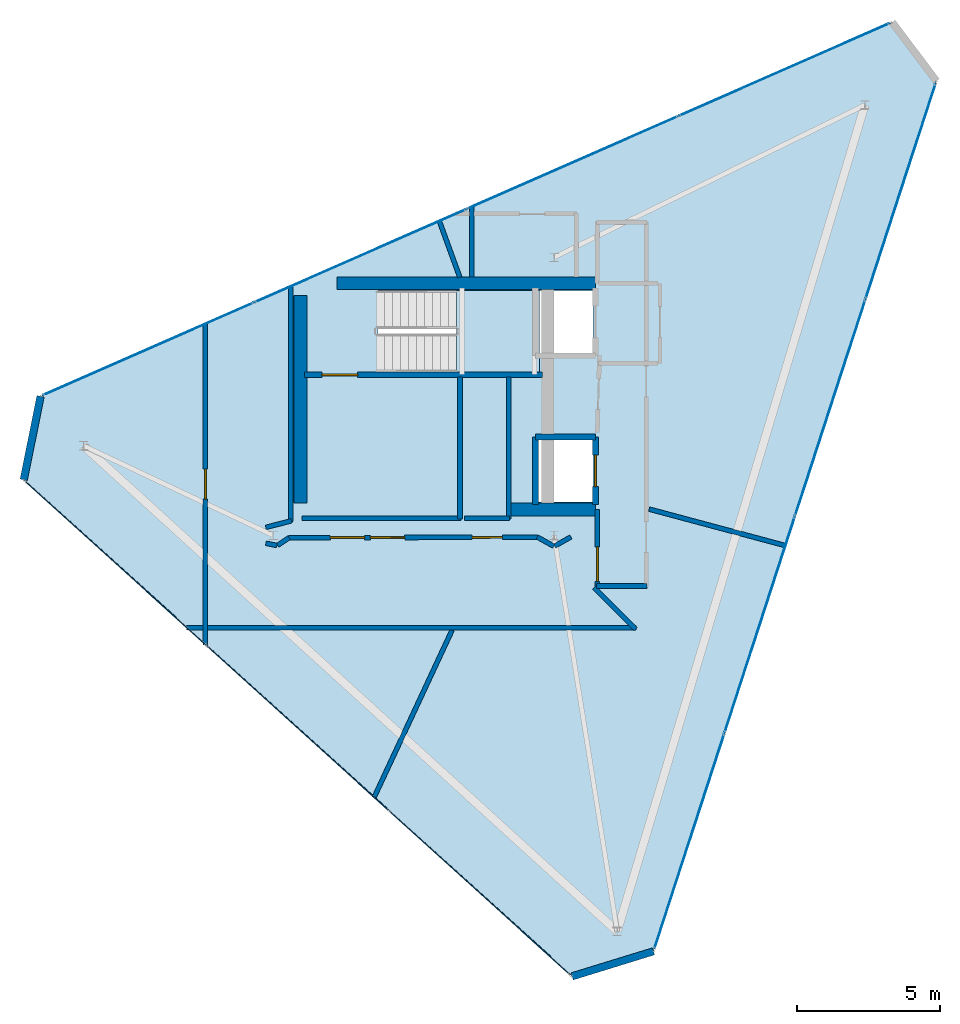
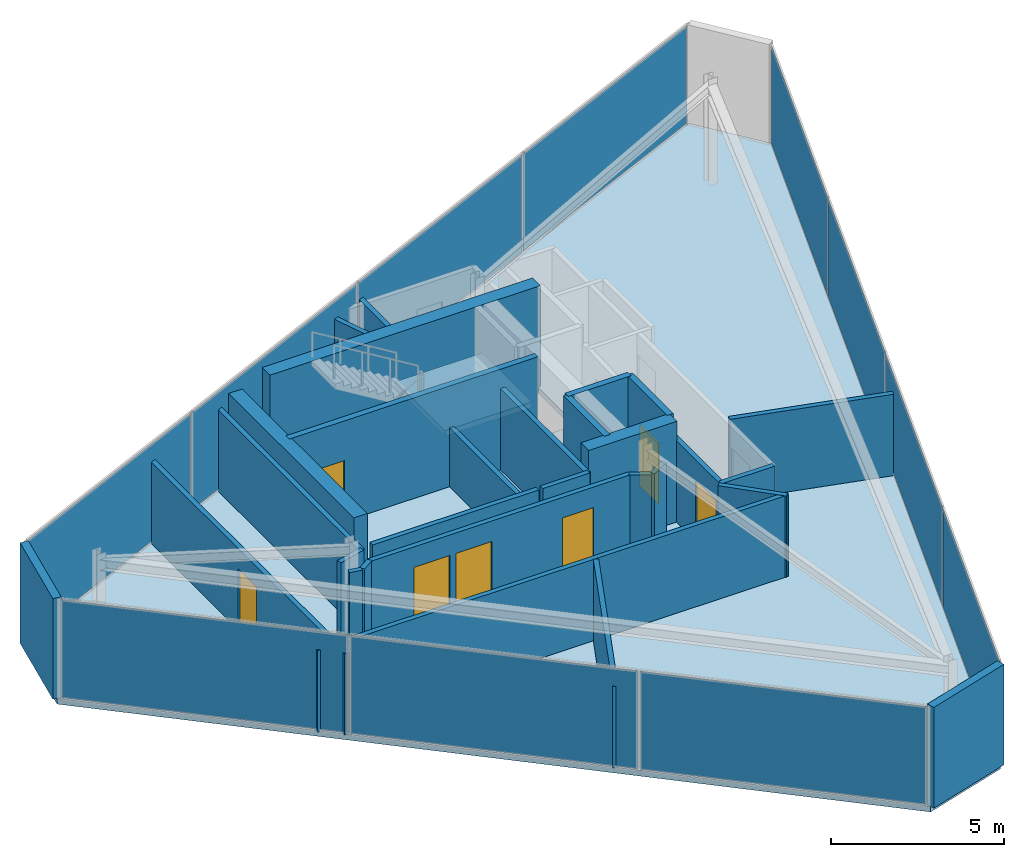
# One storey, part 12 of 14: 29 walls, 11 plates, 7 doors, 2 slabs, 7 openings, 4 elements without a shape of their own.
"""IFC4 building model written with IfcOpenShell, lengths in metres."""

from ifc_helpers import new_model, si_unit, direction, frame, frame_2d, origin, origin_2d, place, context, subcontext, project, spatial, polyline, rectangle, outline, extrude, material, layer, layer_set, type_object, element, fill, aggregate, save


model = new_model("IFC4")

# Units and contexts
model_context = context("Model", 3, precision=1e-05, world=origin(), true_north=direction((0.0, 1.0)))
body_context = subcontext(model_context, "Body", "Model", "MODEL_VIEW")
ifc_project = project(units=[si_unit("LENGTHUNIT", "METRE"), si_unit("AREAUNIT", "SQUARE_METRE"), si_unit("VOLUMEUNIT", "CUBIC_METRE"), si_unit("PLANEANGLEUNIT", "RADIAN"), si_unit("MASSUNIT", "GRAM", prefix="KILO")], contexts=[model_context])

# Site, building, storey
site_placement = place(None, origin())
site = spatial("IfcSite", under=ifc_project, at=site_placement, CompositionType="ELEMENT")
building_placement = place(site_placement, origin())
building = spatial("IfcBuilding", under=site, at=building_placement, Name="Qianvela Tower", CompositionType="ELEMENT")
storey_placement = place(building_placement, frame((0.0, 0.0, 371.300048828125)))
storey = spatial("IfcBuildingStorey", under=building, at=storey_placement, Name="L96", CompositionType="ELEMENT", Elevation=371.300048828125)

# Curtain wall, plates
ifc_material_1 = material(Name="Anodised Architectural Aluminium and Low-E Glass", Category="aluminium")
ifc_layer_1 = layer(ifc_material_1, 0.159912109375)
ifc_layer_set_1 = layer_set([ifc_layer_1], Name="Anodised Architectural Aluminium and Low-E Glass")
curtain_wall_type = type_object("IfcCurtainWallType", Name="CW-CROWN", PredefinedType="USERDEFINED", material=ifc_layer_set_1)
curtain_wall_1_placement = place(storey_placement, origin())
curtain_wall_1 = element("IfcCurtainWall", 1, at=curtain_wall_1_placement, inside=storey, type_object=curtain_wall_type, Name="L96 CW-CROWN Curtain Wall 02", ObjectType="CURTAIN_WALL_SYSTEM", PredefinedType="USERDEFINED")
ifc_material_2 = material(Name="Double-Silver Low-E Insulated Glass", Category="glass")
ifc_layer_2 = layer(ifc_material_2, 0.030029296875)
ifc_layer_set_2 = layer_set([ifc_layer_2], Name="Double-Silver Low-E Insulated Glass")
plate_type = type_object("IfcPlateType", Name="CW-CROWN-PNL", PredefinedType="CURTAIN_PANEL", material=ifc_layer_set_2)
plate_1_placement = place(storey_placement, frame((46.433837890625, 40.101318359375, 0.06005859375), z_axis=(0.0, 0.0, 1.0), x_axis=(-0.915565131954, -0.402169726796, 0.0)))
plate_1 = element("IfcPlate", 2, at=plate_1_placement, type_object=plate_type, Name="CW-8 panel 1.1", PredefinedType="CURTAIN_PANEL", context=body_context, shape_type="SweptSolid", body=[
    extrude(rectangle(XDim=7.99169921875, YDim=0.030029296875, at=origin_2d()), origin(), (0.0, 0.0, 1.0), 3.429931640625),
])
plate_2_placement = place(storey_placement, frame((39.04248046875, 36.854736328125, 0.06005859375), z_axis=(0.0, 0.0, 1.0), x_axis=(-0.915565131954, -0.402169726796, 0.0)))
plate_2 = element("IfcPlate", 3, at=plate_2_placement, type_object=plate_type, Name="CW-8 panel 2.1", PredefinedType="CURTAIN_PANEL", context=body_context, shape_type="SweptSolid", body=[
    extrude(rectangle(XDim=8.024169921875, YDim=0.030029296875, at=origin_2d()), origin(), (0.0, 0.0, 1.0), 3.429931640625),
])
plate_3_placement = place(storey_placement, frame((31.63623046875, 33.601318359375, 0.06005859375), z_axis=(0.0, 0.0, 1.0), x_axis=(-0.915565131954, -0.402169726796, 0.0)))
plate_3 = element("IfcPlate", 4, at=plate_3_placement, type_object=plate_type, Name="CW-8 panel 3.1", PredefinedType="CURTAIN_PANEL", context=body_context, shape_type="SweptSolid", body=[
    extrude(rectangle(XDim=8.024169921875, YDim=0.030029296875, at=origin_2d()), origin(), (0.0, 0.0, 1.0), 3.429931640625),
])
plate_4_placement = place(storey_placement, frame((24.244873046875, 30.354736328125, 0.06005859375), z_axis=(0.0, 0.0, 1.0), x_axis=(-0.915565131954, -0.402169726796, 0.0)))
plate_4 = element("IfcPlate", 5, at=plate_4_placement, type_object=plate_type, Name="CW-8 panel 4.1", PredefinedType="CURTAIN_PANEL", context=body_context, shape_type="SweptSolid", body=[
    extrude(rectangle(XDim=7.99169921875, YDim=0.030029296875, at=origin_2d()), origin(), (0.0, 0.0, 1.0), 3.429931640625),
])
aggregate(curtain_wall_1, [plate_1, plate_2, plate_3, plate_4])

curtain_wall_2_placement = place(storey_placement, origin())
curtain_wall_2 = element("IfcCurtainWall", 6, at=curtain_wall_2_placement, inside=storey, type_object=curtain_wall_type, Name="L96 CW-CROWN Curtain Wall 04", ObjectType="CURTAIN_WALL_SYSTEM", PredefinedType="USERDEFINED")
plate_5_placement = place(storey_placement, frame((23.118408203125, 22.865234375, 0.06005859375), z_axis=(0.0, 0.0, 1.0), x_axis=(0.741273285672, -0.67120333428, 0.0)))
plate_5 = element("IfcPlate", 7, at=plate_5_placement, type_object=plate_type, Name="CW-8 panel 1.1", PredefinedType="CURTAIN_PANEL", context=body_context, shape_type="SweptSolid", body=[
    extrude(rectangle(XDim=8.475341796875, YDim=0.030029296875, at=origin_2d()), origin(), (0.0, 0.0, 1.0), 3.429931640625),
])
plate_6_placement = place(storey_placement, frame((29.461181640625, 17.1220703125, 0.06005859375), z_axis=(0.0, 0.0, 1.0), x_axis=(0.741273285672, -0.67120333428, 0.0)))
plate_6 = element("IfcPlate", 8, at=plate_6_placement, type_object=plate_type, Name="CW-8 panel 2.1", PredefinedType="CURTAIN_PANEL", context=body_context, shape_type="SweptSolid", body=[
    extrude(rectangle(XDim=8.5078125, YDim=0.030029296875, at=origin_2d()), origin(), (0.0, 0.0, 1.0), 3.429931640625),
])
plate_7_placement = place(storey_placement, frame((35.803955078125, 11.378662109375, 0.06005859375), z_axis=(0.0, 0.0, 1.0), x_axis=(0.741273285672, -0.67120333428, 0.0)))
plate_7 = element("IfcPlate", 9, at=plate_7_placement, type_object=plate_type, Name="CW-8 panel 3.1", PredefinedType="CURTAIN_PANEL", context=body_context, shape_type="SweptSolid", body=[
    extrude(rectangle(XDim=8.475341796875, YDim=0.030029296875, at=origin_2d()), origin(), (0.0, 0.0, 1.0), 3.429931640625),
])
aggregate(curtain_wall_2, [plate_5, plate_6, plate_7])

curtain_wall_3_placement = place(storey_placement, origin())
curtain_wall_3 = element("IfcCurtainWall", 10, at=curtain_wall_3_placement, inside=storey, type_object=curtain_wall_type, Name="L96 CW-CROWN Curtain Wall 06", ObjectType="CURTAIN_WALL_SYSTEM", PredefinedType="USERDEFINED")
plate_8_placement = place(storey_placement, frame((43.123291015625, 13.179443359375, 0.06005859375), z_axis=(0.0, 0.0, 1.0), x_axis=(0.309108447019, 0.951026796668, 0.0)))
plate_8 = element("IfcPlate", 11, at=plate_8_placement, type_object=plate_type, Name="CW-8 panel 1.1", PredefinedType="CURTAIN_PANEL", context=body_context, shape_type="SweptSolid", body=[
    extrude(rectangle(XDim=7.86083984375, YDim=0.030029296875, at=origin_2d()), origin(), (0.0, 0.0, 1.0), 3.429931640625),
])
plate_9_placement = place(storey_placement, frame((45.578125, 20.732666015625, 0.06005859375), z_axis=(0.0, 0.0, 1.0), x_axis=(0.309108447019, 0.951026796668, 0.0)))
plate_9 = element("IfcPlate", 12, at=plate_9_placement, type_object=plate_type, Name="CW-8 panel 2.1", PredefinedType="CURTAIN_PANEL", context=body_context, shape_type="SweptSolid", body=[
    extrude(rectangle(XDim=7.893310546875, YDim=0.030029296875, at=origin_2d()), origin(), (0.0, 0.0, 1.0), 3.429931640625),
])
plate_10_placement = place(storey_placement, frame((48.0380859375, 28.30126953125, 0.06005859375), z_axis=(0.0, 0.0, 1.0), x_axis=(0.309108447019, 0.951026796668, 0.0)))
plate_10 = element("IfcPlate", 13, at=plate_10_placement, type_object=plate_type, Name="CW-8 panel 3.1", PredefinedType="CURTAIN_PANEL", context=body_context, shape_type="SweptSolid", body=[
    extrude(rectangle(XDim=7.893310546875, YDim=0.030029296875, at=origin_2d()), origin(), (0.0, 0.0, 1.0), 3.429931640625),
])
plate_11_placement = place(storey_placement, frame((50.4931640625, 35.8544921875, 0.06005859375), z_axis=(0.0, 0.0, 1.0), x_axis=(0.309108447019, 0.951026796668, 0.0)))
plate_11 = element("IfcPlate", 14, at=plate_11_placement, type_object=plate_type, Name="CW-8 panel 4.1", PredefinedType="CURTAIN_PANEL", context=body_context, shape_type="SweptSolid", body=[
    extrude(rectangle(XDim=7.86083984375, YDim=0.030029296875, at=origin_2d()), origin(), (0.0, 0.0, 1.0), 3.429931640625),
])
aggregate(curtain_wall_3, [plate_8, plate_9, plate_10, plate_11])

# Slab
ifc_material_3 = material(Name="Concrete C40", Category="concrete")
ifc_layer_3 = layer(ifc_material_3, 0.199951171875)
ifc_layer_set_3 = layer_set([ifc_layer_3], Name="Concrete C40")
slab_type_1 = type_object("IfcSlabType", Name="SL-CROWN-200", PredefinedType="FLOOR", material=ifc_layer_set_3)
slab_1_placement = place(storey_placement, frame((0.0, 0.0, -0.199951171875)))
element("IfcSlab", 15, at=slab_1_placement, inside=storey, type_object=slab_type_1, Name="L96 Composite Structural Floor Slab", PredefinedType="FLOOR", context=body_context, shape_type="SweptSolid", body=[
    extrude(outline(polyline([(51.74365234375, 39.701904296875), (50.197509765625, 41.754638671875), (20.481201171875, 28.701416015625), (19.891845703125, 25.786865234375), (39.030517578125, 8.457275390625), (41.872802734375, 9.33203125), (51.74365234375, 39.701904296875)]), holes=[polyline([(37.840087890625, 25.02001953125), (39.760009765625, 25.02001953125), (39.760009765625, 27.179931640625), (37.840087890625, 27.179931640625), (37.840087890625, 25.02001953125)]), polyline([(37.89990234375, 29.5400390625), (37.89990234375, 30.219970703125), (39.760009765625, 30.219970703125), (39.760009765625, 32.3798828125), (37.89990234375, 32.3798828125), (37.89990234375, 32.39990234375), (32.25, 32.39990234375), (32.25, 29.5400390625), (37.89990234375, 29.5400390625)])]), origin(), (0.0, 0.0, 1.0), 0.199951171875),
])

# Stair, slab
ifc_material_4 = material(Name="Concrete C40", Category="concrete")
stair_type = type_object("IfcStairType", Name="ST-DOGLEG-1350-R170-N22", PredefinedType="HALF_TURN_STAIR", material=ifc_material_4)
stair_placement = place(storey_placement, origin())
stair = element("IfcStair", 16, at=stair_placement, inside=storey, type_object=stair_type, Name="L96 Smoke-Proof Core Stair ST-1", PredefinedType="HALF_TURN_STAIR")
ifc_material_5 = material(Name="Concrete C40", Category="concrete")
ifc_layer_4 = layer(ifc_material_5, 0.199951171875)
ifc_layer_set_4 = layer_set([ifc_layer_4], Name="Concrete C40")
slab_type_2 = type_object("IfcSlabType", Name="SL-STAIR-LANDING-200", PredefinedType="LANDING", material=ifc_layer_set_4)
slab_2_placement = place(storey_placement, frame((0.0, 0.0, 1.675048828125)))
slab_2 = element("IfcSlab", 17, at=slab_2_placement, type_object=slab_type_2, Name="ST-1 landing 1", PredefinedType="LANDING", context=body_context, shape_type="SweptSolid", body=[
    extrude(outline(polyline([(35.0, 29.5400390625), (37.89990234375, 29.5400390625), (37.89990234375, 32.39990234375), (35.0, 32.39990234375), (35.0, 29.5400390625)])), origin(), (0.0, 0.0, 1.0), 0.199951171875),
])
aggregate(stair, [slab_2])

# Walls
ifc_material_6 = material(Name="Terracotta Cladding on Concrete C40", Category="masonry")
ifc_layer_5 = layer(ifc_material_6, 0.260009765625)
ifc_layer_set_5 = layer_set([ifc_layer_5], Name="Terracotta Cladding on Concrete C40")
wall_type_1 = type_object("IfcWallType", Name="TERRACOTTA-WALL-260", PredefinedType="SOLIDWALL", material=ifc_layer_set_5)
wall_1_placement = place(storey_placement, frame((20.481201171875, 28.701416015625, 0.0), z_axis=(0.0, 0.0, 1.0), x_axis=(-0.19819987927, -0.980161623334, 0.0)))
element("IfcWall", 18, at=wall_1_placement, inside=storey, type_object=wall_type_1, Name="L96 Crown Terracotta Cladding Wall 3", PredefinedType="SOLIDWALL", context=body_context, shape_type="SweptSolid", body=[
    extrude(rectangle(XDim=2.9736328125, YDim=0.260009765625, at=frame_2d((1.48681640625, 0.0))), origin(), (0.0, 0.0, 1.0), 3.550048828125),
])
wall_2_placement = place(storey_placement, frame((39.030517578125, 8.457275390625, 0.0), z_axis=(0.0, 0.0, 1.0), x_axis=(0.955759481124, 0.294149306036, 0.0)))
element("IfcWall", 19, at=wall_2_placement, inside=storey, type_object=wall_type_1, Name="L96 Crown Terracotta Cladding Wall 5", PredefinedType="SOLIDWALL", context=body_context, shape_type="SweptSolid", body=[
    extrude(rectangle(XDim=2.973876953125, YDim=0.260009765625, at=frame_2d((1.48681640625, 0.0))), origin(), (0.0, 0.0, 1.0), 3.550048828125),
])
ifc_material_7 = material(Name="Concrete C50", Category="concrete")
ifc_layer_6 = layer(ifc_material_7, 0.449951171875)
ifc_layer_set_6 = layer_set([ifc_layer_6], Name="Concrete C50")
wall_type_2 = type_object("IfcWallType", Name="WT-CORE-450", PredefinedType="SHEAR", material=ifc_layer_set_6)
wall_3_placement = place(storey_placement, frame((30.830078125, 32.64501953125, 0.0), z_axis=(0.0, 0.0, 1.0), x_axis=(1.0, 0.0, 0.0)))
element("IfcWall", 20, at=wall_3_placement, inside=storey, type_object=wall_type_2, Name="L96 North Core Shear Wall", PredefinedType="SHEAR", context=body_context, shape_type="SweptSolid", body=[
    extrude(rectangle(XDim=9.02001953125, YDim=0.449951171875, at=frame_2d((4.510009765625, 0.0))), origin(), (0.0, 0.0, 1.0), 3.550048828125),
])
wall_4_placement = place(storey_placement, frame((36.89990234375, 24.7548828125, 0.0), z_axis=(0.0, 0.0, 1.0), x_axis=(1.0, 0.0, 0.0)))
element("IfcWall", 21, at=wall_4_placement, inside=storey, type_object=wall_type_2, Name="L96 South Core Shear Wall", PredefinedType="SHEAR", context=body_context, shape_type="SweptSolid", body=[
    extrude(rectangle(XDim=2.9501953125, YDim=0.449951171875, at=frame_2d((1.47509765625, 0.0))), origin(), (0.0, 0.0, 1.0), 3.550048828125),
])
wall_5_placement = place(storey_placement, frame((29.554931640625, 24.97998046875, 0.0), z_axis=(0.0, 0.0, 1.0), x_axis=(0.0, 1.0, 0.0)))
element("IfcWall", 22, at=wall_5_placement, inside=storey, type_object=wall_type_2, Name="L96 West Core Shear Wall", PredefinedType="SHEAR", context=body_context, shape_type="SweptSolid", body=[
    extrude(rectangle(XDim=7.239990234375, YDim=0.449951171875, at=frame_2d((3.6201171875, 0.0))), origin(), (0.0, 0.0, 1.0), 3.550048828125),
])
ifc_material_8 = material(Name="Fire-Rated Gypsum and Concrete Block", Category="concrete")
ifc_layer_7 = layer(ifc_material_8, 0.159912109375)
ifc_layer_set_7 = layer_set([ifc_layer_7], Name="Fire-Rated Gypsum and Concrete Block")
wall_type_3 = type_object("IfcWallType", Name="WT-CORR-160", PredefinedType="PARTITIONING", material=ifc_layer_set_7)
wall_6_placement = place(storey_placement, frame((35.14990234375, 24.450927734375, 0.0), z_axis=(0.0, 0.0, 1.0), x_axis=(-1.0, 0.0, 0.0)))
element("IfcWall", 23, at=wall_6_placement, inside=storey, type_object=wall_type_3, Name="L96 Partition 1", PredefinedType="PARTITIONING", context=body_context, shape_type="SweptSolid", body=[
    extrude(rectangle(XDim=5.5498046875, YDim=0.159912109375, at=frame_2d((2.77490234375, 0.0))), origin(), (0.0, 0.0, 1.0), 2.869873046875),
])
wall_7_placement = place(storey_placement, frame((35.118896484375, 29.3798828125, 0.0), z_axis=(0.0, 0.0, 1.0), x_axis=(0.0, -1.0, 0.0)))
element("IfcWall", 24, at=wall_7_placement, inside=storey, type_object=wall_type_3, Name="L96 Partition 4", PredefinedType="PARTITIONING", context=body_context, shape_type="SweptSolid", body=[
    extrude(rectangle(XDim=4.9599609375, YDim=0.159912109375, at=frame_2d((2.47998046875, 0.0))), origin(), (0.0, 0.0, 1.0), 2.079833984375),
])

# Wall, opening, door
wall_8_placement = place(storey_placement, frame((39.910888671875, 22.050048828125, 0.0), z_axis=(0.0, 0.0, 1.0), x_axis=(0.0, 1.0, 0.0)))
wall_8 = element("IfcWall", 25, at=wall_8_placement, inside=storey, type_object=wall_type_3, Name="L96 Partition 5", PredefinedType="PARTITIONING", context=body_context, shape_type="SweptSolid", body=[
    extrude(rectangle(XDim=2.7099609375, YDim=0.159912109375, at=frame_2d((1.35498046875, 0.0))), origin(), (0.0, 0.0, 1.0), 2.869873046875),
])
opening_1_placement = place(wall_8_placement, frame((0.195068359375, 0.0, 0.0)))
opening_1 = element("IfcOpeningElement", 26, at=opening_1_placement, cuts=wall_8, Name="Opening D-LB1", PredefinedType="OPENING", context=body_context, shape_type="SweptSolid", body=[
    extrude(rectangle(XDim=1.199951171875, YDim=2.14990234375, at=frame_2d((0.60009765625, 1.074951171875))), frame((0.0, 0.08984375, 0.0), z_axis=(0.0, -1.0, 0.0), x_axis=(1.0, 0.0, 0.0)), (0.0, 0.0, 1.0), 0.179931640625),
])
ifc_material_9 = material(Name="Glazed Fire-Rated Steel Frame", Category="steel")
door_type_1 = type_object("IfcDoorType", Name="DT-LOBBY-FD90", OperationType="NOTDEFINED", PredefinedType="DOOR", material=ifc_material_9)
door_1_placement = place(opening_1_placement, origin())
door_1 = element("IfcDoor", 27, at=door_1_placement, inside=storey, type_object=door_type_1, Name="L96 Door L96 Lift Lobby to L96 Crown Maintenance Corridor", OperationType="SINGLE_SWING_LEFT", OverallHeight=2.14990234375, OverallWidth=1.199951171875, PredefinedType="DOOR", context=body_context, shape_type="SweptSolid", body=[
    extrude(rectangle(XDim=1.199951171875, YDim=2.14990234375, at=frame_2d((0.60009765625, 1.074951171875))), frame((0.0, 0.02490234375, 0.0), z_axis=(0.0, -1.0, 0.0), x_axis=(1.0, 0.0, 0.0)), (0.0, 0.0, 1.0), 0.050048828125),
])
fill(opening_1, door_1)

# Walls
wall_9_placement = place(storey_placement, frame((41.64990234375, 22.0810546875, 0.0), z_axis=(0.0, 0.0, 1.0), x_axis=(-1.0, 0.0, 0.0)))
element("IfcWall", 28, at=wall_9_placement, inside=storey, type_object=wall_type_3, Name="L96 Partition 11", PredefinedType="PARTITIONING", context=body_context, shape_type="SweptSolid", body=[
    extrude(rectangle(XDim=1.77001953125, YDim=0.159912109375, at=frame_2d((0.885009765625, 0.0))), origin(), (0.0, 0.0, 1.0), 2.869873046875),
])
wall_10_placement = place(storey_placement, frame((36.85009765625, 24.450927734375, 0.0), z_axis=(0.0, 0.0, 1.0), x_axis=(-1.0, 0.0, 0.0)))
element("IfcWall", 29, at=wall_10_placement, inside=storey, type_object=wall_type_3, Name="L96 Partition 12", PredefinedType="PARTITIONING", context=body_context, shape_type="SweptSolid", body=[
    extrude(rectangle(XDim=1.570068359375, YDim=0.159912109375, at=frame_2d((0.78515625, 0.0))), origin(), (0.0, 0.0, 1.0), 2.869873046875),
])
wall_11_placement = place(storey_placement, frame((36.819091796875, 29.3798828125, 0.0), z_axis=(0.0, 0.0, 1.0), x_axis=(0.0, -1.0, 0.0)))
element("IfcWall", 30, at=wall_11_placement, inside=storey, type_object=wall_type_3, Name="L96 Partition 15", PredefinedType="PARTITIONING", context=body_context, shape_type="SweptSolid", body=[
    extrude(rectangle(XDim=4.9599609375, YDim=0.159912109375, at=frame_2d((2.47998046875, 0.0))), origin(), (0.0, 0.0, 1.0), 2.869873046875),
])
wall_12_placement = place(storey_placement, frame((35.531005859375, 32.85791015625, 0.0), z_axis=(0.0, 0.0, 1.0), x_axis=(0.0, 1.0, 0.0)))
element("IfcWall", 31, at=wall_12_placement, inside=storey, type_object=wall_type_3, Name="L96 Partition 17", PredefinedType="PARTITIONING", context=body_context, shape_type="SweptSolid", body=[
    extrude(rectangle(XDim=2.474365234375, YDim=0.159912109375, at=frame_2d((1.2373046875, 0.0))), origin(), (0.0, 0.0, 1.0), 2.869873046875),
])
wall_13_placement = place(storey_placement, frame((29.2421875, 24.359375, 0.0), z_axis=(0.0, 0.0, 1.0), x_axis=(-0.968190928123, -0.250212563035, 0.0)))
element("IfcWall", 32, at=wall_13_placement, inside=storey, type_object=wall_type_3, Name="L96 Partition 20", PredefinedType="PARTITIONING", context=body_context, shape_type="SweptSolid", body=[
    extrude(rectangle(XDim=0.927001953125, YDim=0.159912109375, at=frame_2d((0.46337890625, 0.0))), origin(), (0.0, 0.0, 1.0), 2.869873046875),
])
wall_14_placement = place(storey_placement, frame((28.346435546875, 23.572021484375, 0.0), z_axis=(0.0, 0.0, 1.0), x_axis=(0.980749356168, -0.19527083852, 0.0)))
element("IfcWall", 33, at=wall_14_placement, inside=storey, type_object=wall_type_3, Name="L96 Partition 21", PredefinedType="PARTITIONING", context=body_context, shape_type="SweptSolid", body=[
    extrude(rectangle(XDim=0.388916015625, YDim=0.159912109375, at=frame_2d((0.1943359375, 0.0))), origin(), (0.0, 0.0, 1.0), 2.869873046875),
])
wall_15_placement = place(storey_placement, frame((28.751220703125, 23.5009765625, 0.0), z_axis=(0.0, 0.0, 1.0), x_axis=(0.831506528289, 0.555514980368, 0.0)))
element("IfcWall", 34, at=wall_15_placement, inside=storey, type_object=wall_type_3, Name="L96 Partition 22", PredefinedType="PARTITIONING", context=body_context, shape_type="SweptSolid", body=[
    extrude(rectangle(XDim=0.48388671875, YDim=0.159912109375, at=frame_2d((0.241943359375, 0.0))), origin(), (0.0, 0.0, 1.0), 2.869873046875),
])

# Wall, openings, doors
wall_16_placement = place(storey_placement, frame((29.136474609375, 23.764404296875, 0.0), z_axis=(0.0, 0.0, 1.0), x_axis=(0.999996877471, 0.002499009437, 0.0)))
wall_16 = element("IfcWall", 35, at=wall_16_placement, inside=storey, type_object=wall_type_3, Name="L96 Partition 23", PredefinedType="PARTITIONING", context=body_context, shape_type="SweptSolid", body=[
    extrude(rectangle(XDim=8.69482421875, YDim=0.159912109375, at=frame_2d((4.347412109375, 0.0))), origin(), (0.0, 0.0, 1.0), 2.869873046875),
])
opening_2_placement = place(wall_16_placement, frame((2.85400390625, 0.0, 0.0)))
opening_2 = element("IfcOpeningElement", 36, at=opening_2_placement, cuts=wall_16, Name="Opening D-LB1", PredefinedType="OPENING", context=body_context, shape_type="SweptSolid", body=[
    extrude(rectangle(XDim=1.199951171875, YDim=2.14990234375, at=frame_2d((0.60009765625, 1.074951171875))), frame((0.0, 0.08984375, 0.0), z_axis=(0.0, -1.0, 0.0), x_axis=(1.0, 0.0, 0.0)), (0.0, 0.0, 1.0), 0.179931640625),
])
opening_3_placement = place(wall_16_placement, frame((6.40673828125, 0.0, 0.0)))
opening_3 = element("IfcOpeningElement", 37, at=opening_3_placement, cuts=wall_16, Name="Opening D-PL1", PredefinedType="OPENING", context=body_context, shape_type="SweptSolid", body=[
    extrude(rectangle(XDim=1.050048828125, YDim=2.14990234375, at=frame_2d((0.52490234375, 1.074951171875))), frame((0.0, 0.08984375, 0.0), z_axis=(0.0, -1.0, 0.0), x_axis=(1.0, 0.0, 0.0)), (0.0, 0.0, 1.0), 0.179931640625),
])
opening_4_placement = place(wall_16_placement, frame((1.4541015625, 0.0, 0.0)))
opening_4 = element("IfcOpeningElement", 38, at=opening_4_placement, cuts=wall_16, Name="Opening D-LB1", PredefinedType="OPENING", context=body_context, shape_type="SweptSolid", body=[
    extrude(rectangle(XDim=1.199951171875, YDim=2.14990234375, at=frame_2d((0.60009765625, 1.074951171875))), frame((0.0, 0.08984375, 0.0), z_axis=(0.0, -1.0, 0.0), x_axis=(1.0, 0.0, 0.0)), (0.0, 0.0, 1.0), 0.179931640625),
])
door_2_placement = place(opening_2_placement, origin())
door_2 = element("IfcDoor", 39, at=door_2_placement, inside=storey, type_object=door_type_1, Name="L96 Door L96 Firefighting Lobby North to L96 Crown Maintenance Corridor", OperationType="SINGLE_SWING_RIGHT", OverallHeight=2.14990234375, OverallWidth=1.199951171875, PredefinedType="DOOR", context=body_context, shape_type="SweptSolid", body=[
    extrude(rectangle(XDim=1.199951171875, YDim=2.14990234375, at=frame_2d((0.60009765625, 1.074951171875))), frame((0.0, 0.02490234375, 0.0), z_axis=(0.0, -1.0, 0.0), x_axis=(1.0, 0.0, 0.0)), (0.0, 0.0, 1.0), 0.050048828125),
])
fill(opening_2, door_2)
door_3_placement = place(opening_4_placement, origin())
door_3 = element("IfcDoor", 40, at=door_3_placement, inside=storey, type_object=door_type_1, Name="L96 Door L96 Firefighting Lobby North to L96 Crown Maintenance Corridor", OperationType="SINGLE_SWING_LEFT", OverallHeight=2.14990234375, OverallWidth=1.199951171875, PredefinedType="DOOR", context=body_context, shape_type="SweptSolid", body=[
    extrude(rectangle(XDim=1.199951171875, YDim=2.14990234375, at=frame_2d((0.60009765625, 1.074951171875))), frame((0.0, 0.02490234375, 0.0), z_axis=(0.0, -1.0, 0.0), x_axis=(1.0, 0.0, 0.0)), (0.0, 0.0, 1.0), 0.050048828125),
])
fill(opening_4, door_3)
ifc_material_10 = material(Name="Insulated Steel Fire Door Q355B", Category="steel")
door_type_2 = type_object("IfcDoorType", Name="DT-PLANT-FD90", OperationType="NOTDEFINED", PredefinedType="DOOR", material=ifc_material_10)
door_4_placement = place(opening_3_placement, origin())
door_4 = element("IfcDoor", 41, at=door_4_placement, inside=storey, type_object=door_type_2, Name="L96 Door L96 Crown Electrical Switch Room to L96 Crown Maintenance Corridor", OperationType="SINGLE_SWING_RIGHT", OverallHeight=2.14990234375, OverallWidth=1.050048828125, PredefinedType="DOOR", context=body_context, shape_type="SweptSolid", body=[
    extrude(rectangle(XDim=1.050048828125, YDim=2.14990234375, at=frame_2d((0.52490234375, 1.074951171875))), frame((0.0, 0.02490234375, 0.0), z_axis=(0.0, -1.0, 0.0), x_axis=(1.0, 0.0, 0.0)), (0.0, 0.0, 1.0), 0.050048828125),
])
fill(opening_3, door_4)

# Walls
wall_17_placement = place(storey_placement, frame((37.816162109375, 23.7900390625, 0.0), z_axis=(0.0, 0.0, 1.0), x_axis=(0.873431330758, -0.486947338478, 0.0)))
element("IfcWall", 42, at=wall_17_placement, inside=storey, type_object=wall_type_3, Name="L96 Partition 24", PredefinedType="PARTITIONING", context=body_context, shape_type="SweptSolid", body=[
    extrude(rectangle(XDim=0.6513671875, YDim=0.159912109375, at=frame_2d((0.32568359375, 0.0))), origin(), (0.0, 0.0, 1.0), 2.869873046875),
])
wall_18_placement = place(storey_placement, frame((38.4150390625, 23.472900390625, 0.0), z_axis=(0.0, 0.0, 1.0), x_axis=(0.873120406102, 0.487504621976, 0.0)))
element("IfcWall", 43, at=wall_18_placement, inside=storey, type_object=wall_type_3, Name="L96 Partition 25", PredefinedType="PARTITIONING", context=body_context, shape_type="SweptSolid", body=[
    extrude(rectangle(XDim=0.656494140625, YDim=0.159912109375, at=frame_2d((0.328125, 0.0))), origin(), (0.0, 0.0, 1.0), 2.869873046875),
])
wall_19_placement = place(storey_placement, frame((39.796142578125, 22.028076171875, 0.0), z_axis=(0.0, 0.0, 1.0), x_axis=(0.707106781187, -0.707106781187, 0.0)))
element("IfcWall", 44, at=wall_19_placement, inside=storey, type_object=wall_type_3, Name="L96 Partition 28", PredefinedType="PARTITIONING", context=body_context, shape_type="SweptSolid", body=[
    extrude(rectangle(XDim=2.050537109375, YDim=0.159912109375, at=frame_2d((1.025390625, 0.0))), origin(), (0.0, 0.0, 1.0), 2.869873046875),
])
wall_20_placement = place(storey_placement, frame((41.26806640625, 20.631103515625, 0.0), z_axis=(0.0, 0.0, 1.0), x_axis=(-1.0, 0.0, 0.0)))
element("IfcWall", 45, at=wall_20_placement, inside=storey, type_object=wall_type_3, Name="L96 Partition 29", PredefinedType="PARTITIONING", context=body_context, shape_type="SweptSolid", body=[
    extrude(rectangle(XDim=15.7021484375, YDim=0.159912109375, at=frame_2d((7.85107421875, 0.0))), origin(), (0.0, 0.0, 1.0), 2.869873046875),
])

# Wall, opening, door
wall_21_placement = place(storey_placement, frame((26.23095703125, 20.02685546875, 0.0), z_axis=(0.0, 0.0, 1.0), x_axis=(0.0, 1.0, 0.0)))
wall_21 = element("IfcWall", 46, at=wall_21_placement, inside=storey, type_object=wall_type_3, Name="L96 Partition 30", PredefinedType="PARTITIONING", context=body_context, shape_type="SweptSolid", body=[
    extrude(rectangle(XDim=11.22021484375, YDim=0.159912109375, at=frame_2d((5.610107421875, 0.0))), origin(), (0.0, 0.0, 1.0), 2.869873046875),
])
opening_5_placement = place(wall_21_placement, frame((5.085205078125, 0.0, 0.0)))
opening_5 = element("IfcOpeningElement", 47, at=opening_5_placement, cuts=wall_21, Name="Opening D-PL1", PredefinedType="OPENING", context=body_context, shape_type="SweptSolid", body=[
    extrude(rectangle(XDim=1.050048828125, YDim=2.14990234375, at=frame_2d((0.52490234375, 1.074951171875))), frame((0.0, 0.08984375, 0.0), z_axis=(0.0, -1.0, 0.0), x_axis=(1.0, 0.0, 0.0)), (0.0, 0.0, 1.0), 0.179931640625),
])
door_5_placement = place(opening_5_placement, origin())
door_5 = element("IfcDoor", 48, at=door_5_placement, inside=storey, type_object=door_type_2, Name="L96 Door L96 Crown Air Handling Mechanical Plant Room to L96 Crown Maintenance Corridor", OperationType="SINGLE_SWING_RIGHT", OverallHeight=2.14990234375, OverallWidth=1.050048828125, PredefinedType="DOOR", context=body_context, shape_type="SweptSolid", body=[
    extrude(rectangle(XDim=1.050048828125, YDim=2.14990234375, at=frame_2d((0.52490234375, 1.074951171875))), frame((0.0, 0.02490234375, 0.0), z_axis=(0.0, -1.0, 0.0), x_axis=(1.0, 0.0, 0.0)), (0.0, 0.0, 1.0), 0.050048828125),
])
fill(opening_5, door_5)

# Walls
wall_22_placement = place(storey_placement, frame((29.218994140625, 32.5595703125, 0.0), z_axis=(0.0, 0.0, 1.0), x_axis=(0.0, -1.0, 0.0)))
element("IfcWall", 49, at=wall_22_placement, inside=storey, type_object=wall_type_3, Name="L96 Partition 32", PredefinedType="PARTITIONING", context=body_context, shape_type="SweptSolid", body=[
    extrude(rectangle(XDim=8.230224609375, YDim=0.159912109375, at=frame_2d((4.115234375, 0.0))), origin(), (0.0, 0.0, 1.0), 2.869873046875),
])
wall_23_placement = place(storey_placement, frame((34.83935546875, 20.533203125, 0.0), z_axis=(0.0, 0.0, 1.0), x_axis=(-0.4226199914, -0.906306980481, 0.0)))
element("IfcWall", 50, at=wall_23_placement, inside=storey, type_object=wall_type_3, Name="L96 Partition 36", PredefinedType="PARTITIONING", context=body_context, shape_type="SweptSolid", body=[
    extrude(rectangle(XDim=6.444580078125, YDim=0.159912109375, at=frame_2d((3.22216796875, 0.0))), origin(), (0.0, 0.0, 1.0), 2.869873046875),
])
wall_24_placement = place(storey_placement, frame((41.721923828125, 24.76416015625, 0.0), z_axis=(0.0, 0.0, 1.0), x_axis=(0.965929963901, -0.258803602832, 0.0)))
element("IfcWall", 51, at=wall_24_placement, inside=storey, type_object=wall_type_3, Name="L96 Partition 44", PredefinedType="PARTITIONING", context=body_context, shape_type="SweptSolid", body=[
    extrude(rectangle(XDim=4.940185546875, YDim=0.159912109375, at=frame_2d((2.47021484375, 0.0))), origin(), (0.0, 0.0, 1.0), 2.869873046875),
])
wall_25_placement = place(storey_placement, frame((35.111328125, 32.85791015625, 0.0), z_axis=(0.0, 0.0, 1.0), x_axis=(-0.342060015432, 0.939678107568, 0.0)))
element("IfcWall", 52, at=wall_25_placement, inside=storey, type_object=wall_type_3, Name="L96 Partition 51", PredefinedType="PARTITIONING", context=body_context, shape_type="SweptSolid", body=[
    extrude(rectangle(XDim=2.102783203125, YDim=0.159912109375, at=frame_2d((1.05126953125, 0.0))), origin(), (0.0, 0.0, 1.0), 2.869873046875),
])

# Wall, opening, door
ifc_material_11 = material(Name="Concrete C50", Category="concrete")
ifc_layer_8 = layer(ifc_material_11, 0.199951171875)
ifc_layer_set_8 = layer_set([ifc_layer_8], Name="Concrete C50")
wall_type_4 = type_object("IfcWallType", Name="WT-SHAFT-200", PredefinedType="SOLIDWALL", material=ifc_layer_set_8)
wall_26_placement = place(storey_placement, frame((29.699951171875, 29.449951171875, 0.0), z_axis=(0.0, 0.0, 1.0), x_axis=(1.0, 0.0, 0.0)))
wall_26 = element("IfcWall", 53, at=wall_26_placement, inside=storey, type_object=wall_type_4, Name="L96 Stair ST-1 South Wall", PredefinedType="SOLIDWALL", context=body_context, shape_type="SweptSolid", body=[
    extrude(rectangle(XDim=8.300048828125, YDim=0.199951171875, at=frame_2d((4.14990234375, 0.0))), origin(), (0.0, 0.0, 1.0), 3.550048828125),
])
opening_6_placement = place(wall_26_placement, frame((0.594970703125, 0.0, 0.0)))
opening_6 = element("IfcOpeningElement", 54, at=opening_6_placement, cuts=wall_26, Name="Opening D-ST1", PredefinedType="OPENING", context=body_context, shape_type="SweptSolid", body=[
    extrude(rectangle(XDim=1.25, YDim=2.14990234375, at=frame_2d((0.625, 1.074951171875))), frame((0.0, 0.10986328125, 0.0), z_axis=(0.0, -1.0, 0.0), x_axis=(1.0, 0.0, 0.0)), (0.0, 0.0, 1.0), 0.219970703125),
])
ifc_material_12 = material(Name="Galvanised Fire Steel Q355B", Category="steel")
door_type_3 = type_object("IfcDoorType", Name="DT-STAIR-FD90", OperationType="NOTDEFINED", PredefinedType="DOOR", material=ifc_material_12)
door_6_placement = place(opening_6_placement, origin())
door_6 = element("IfcDoor", 55, at=door_6_placement, inside=storey, type_object=door_type_3, Name="L96 Stair ST-1 Exit Door", OperationType="SINGLE_SWING_RIGHT", OverallHeight=2.14990234375, OverallWidth=1.25, PredefinedType="DOOR", context=body_context, shape_type="SweptSolid", body=[
    extrude(rectangle(XDim=1.25, YDim=2.14990234375, at=frame_2d((0.625, 1.074951171875))), frame((0.0, 0.02490234375, 0.0), z_axis=(0.0, -1.0, 0.0), x_axis=(1.0, 0.0, 0.0)), (0.0, 0.0, 1.0), 0.050048828125),
])
fill(opening_6, door_6)

wall_27_placement = place(storey_placement, frame((39.85009765625, 24.919921875, 0.0), z_axis=(0.0, 0.0, 1.0), x_axis=(0.0, 1.0, 0.0)))
wall_27 = element("IfcWall", 56, at=wall_27_placement, inside=storey, type_object=wall_type_4, Name="L96 Lift FL-2 E Shaft Wall", PredefinedType="SOLIDWALL", context=body_context, shape_type="SweptSolid", body=[
    extrude(rectangle(XDim=2.360107421875, YDim=0.199951171875, at=frame_2d((1.18017578125, 0.0))), origin(), (0.0, 0.0, 1.0), 3.550048828125),
])
opening_7_placement = place(wall_27_placement, frame((0.6298828125, 0.0, 0.0)))
opening_7 = element("IfcOpeningElement", 57, at=opening_7_placement, cuts=wall_27, Name="Opening LD-01", PredefinedType="OPENING", context=body_context, shape_type="SweptSolid", body=[
    extrude(rectangle(XDim=1.10009765625, YDim=2.14990234375, at=frame_2d((0.550048828125, 1.074951171875))), frame((0.0, 0.10986328125, 0.0), z_axis=(0.0, -1.0, 0.0), x_axis=(1.0, 0.0, 0.0)), (0.0, 0.0, 1.0), 0.219970703125),
])
ifc_material_13 = material(Name="Brushed Stainless Steel Lift Landing Door", Category="steel")
door_type_4 = type_object("IfcDoorType", Name="DT-LIFT-SLIDE-1100", OperationType="SLIDING_TO_LEFT", PredefinedType="DOOR", material=ifc_material_13)
door_7_placement = place(opening_7_placement, origin())
door_7 = element("IfcDoor", 58, at=door_7_placement, inside=storey, type_object=door_type_4, Name="L96 Lift FL-2 Sliding Landing Door", OperationType="SLIDING_TO_LEFT", OverallHeight=2.14990234375, OverallWidth=1.10009765625, PredefinedType="DOOR", context=body_context, shape_type="SweptSolid", body=[
    extrude(rectangle(XDim=1.10009765625, YDim=2.14990234375, at=frame_2d((0.550048828125, 1.074951171875))), frame((0.0, 0.02490234375, 0.0), z_axis=(0.0, -1.0, 0.0), x_axis=(1.0, 0.0, 0.0)), (0.0, 0.0, 1.0), 0.050048828125),
])
fill(opening_7, door_7)

# Walls
wall_28_placement = place(storey_placement, frame((37.75, 24.919921875, 0.0), z_axis=(0.0, 0.0, 1.0), x_axis=(0.0, 1.0, 0.0)))
element("IfcWall", 59, at=wall_28_placement, inside=storey, type_object=wall_type_4, Name="L96 Lift FL-2 W Shaft Wall", PredefinedType="SOLIDWALL", context=body_context, shape_type="SweptSolid", body=[
    extrude(rectangle(XDim=2.360107421875, YDim=0.199951171875, at=frame_2d((1.18017578125, 0.0))), origin(), (0.0, 0.0, 1.0), 3.550048828125),
])
wall_29_placement = place(storey_placement, frame((37.75, 27.280029296875, 0.0), z_axis=(0.0, 0.0, 1.0), x_axis=(1.0, 0.0, 0.0)))
element("IfcWall", 60, at=wall_29_placement, inside=storey, type_object=wall_type_4, Name="L96 Lift FL-2 N Shaft Wall", PredefinedType="SOLIDWALL", context=body_context, shape_type="SweptSolid", body=[
    extrude(rectangle(XDim=2.10009765625, YDim=0.199951171875, at=frame_2d((1.050048828125, 0.0))), origin(), (0.0, 0.0, 1.0), 3.550048828125),
])

save(model, "model.ifc")
